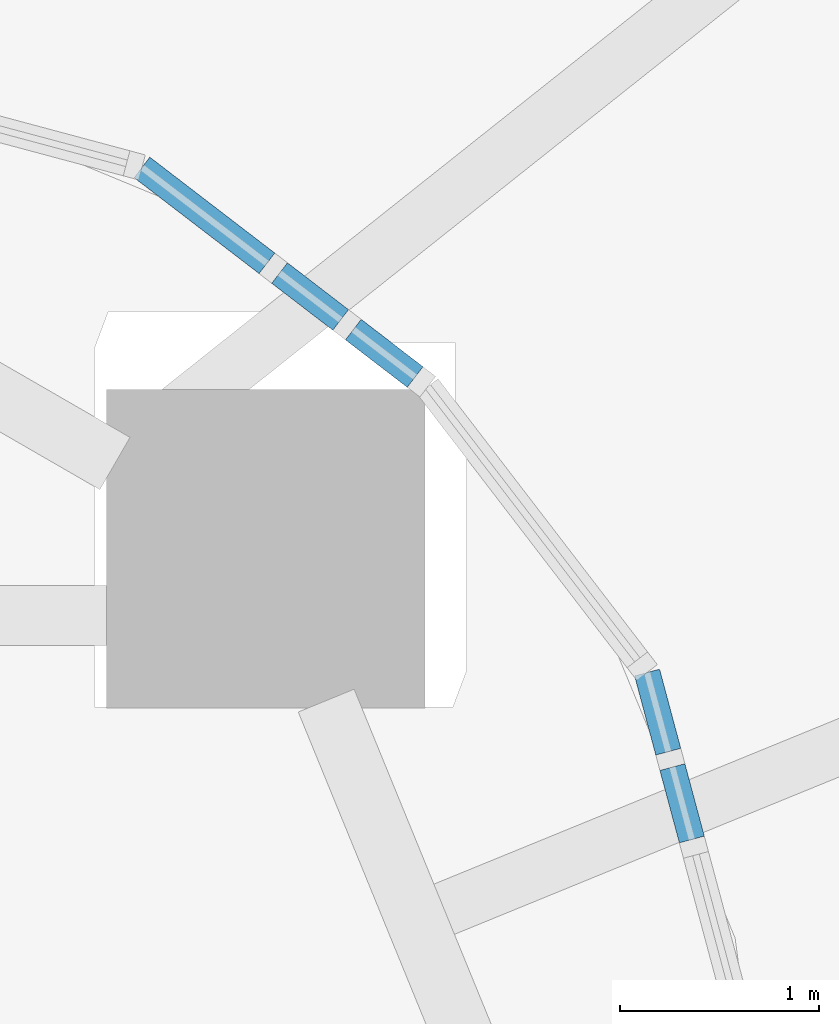
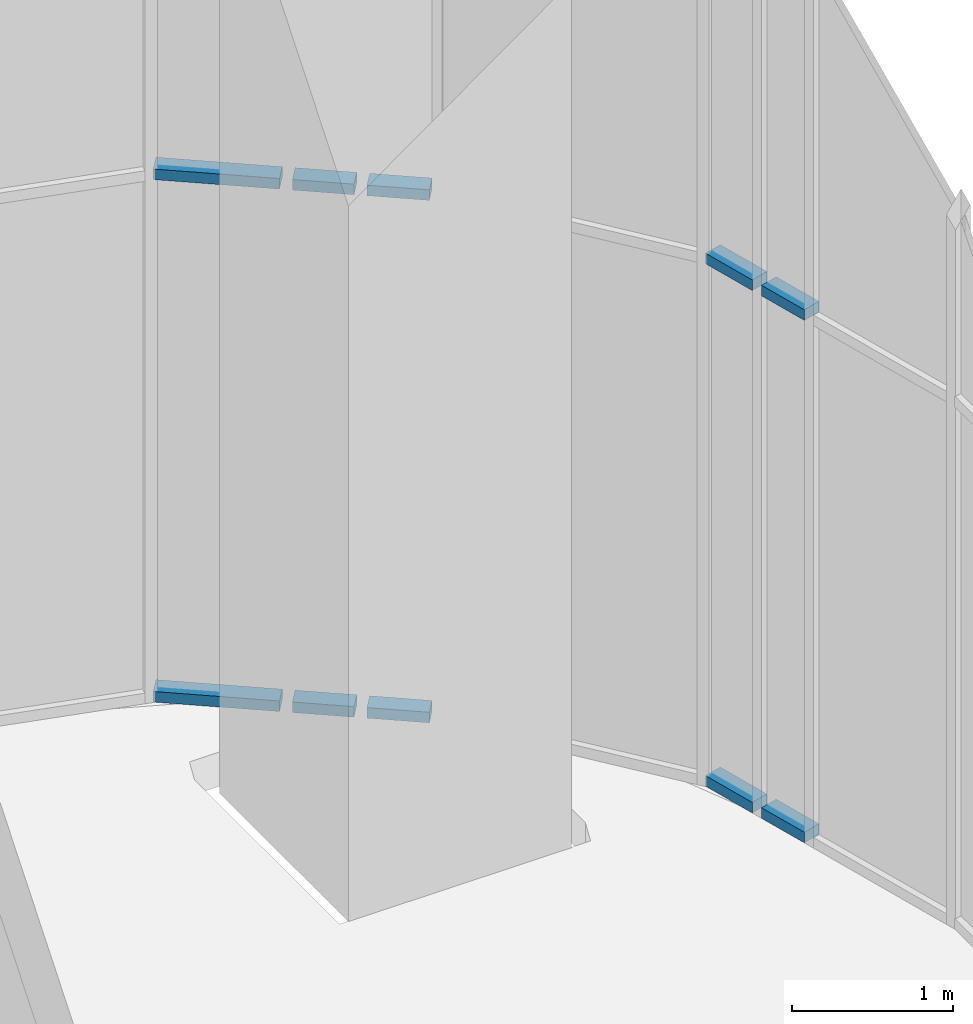
# One storey, part 16 of 34: 10 members, 5 elements without a shape of their own.
"""IFC4 building model written with IfcOpenShell, lengths in metres."""

from ifc_helpers import new_model, si_unit, direction, frame, origin, origin_2d, place, context, subcontext, project, spatial, rectangle, extrude, material, layer, layer_set, material_profile, profile_set, type_object, element, aggregate, save


model = new_model("IFC4")

# Units and contexts
model_context = context("Model", 3, precision=1e-05, world=origin(), true_north=direction((0.0, 1.0)))
body_context = subcontext(model_context, "Body", "Model", "MODEL_VIEW")
ifc_project = project(units=[si_unit("LENGTHUNIT", "METRE"), si_unit("AREAUNIT", "SQUARE_METRE"), si_unit("VOLUMEUNIT", "CUBIC_METRE"), si_unit("PLANEANGLEUNIT", "RADIAN"), si_unit("MASSUNIT", "GRAM", prefix="KILO")], contexts=[model_context])

# Site, building, storey
site_placement = place(None, origin())
site = spatial("IfcSite", under=ifc_project, at=site_placement, CompositionType="ELEMENT")
building_placement = place(site_placement, origin())
building = spatial("IfcBuilding", under=site, at=building_placement, Name="Marenta Gate Hotel Tower", CompositionType="ELEMENT")
storey_placement = place(building_placement, frame((0.0, 0.0, 97.699951171875)))
storey = spatial("IfcBuildingStorey", under=building, at=storey_placement, Name="L21", CompositionType="ELEMENT", Elevation=97.699951171875)

# Curtain wall, members
ifc_material_1 = material(Name="Tinted insulated glass in bronze anodised frame", Category="glass")
ifc_layer = layer(ifc_material_1, 0.1298828125)
ifc_layer_set = layer_set([ifc_layer], Name="Tinted insulated glass in bronze anodised frame")
curtain_wall_type = type_object("IfcCurtainWallType", Name="Sky lobby glazing CW2", PredefinedType="NOTDEFINED", material=ifc_layer_set)
curtain_wall_1_placement = place(storey_placement, origin())
curtain_wall_1 = element("IfcCurtainWall", 1, at=curtain_wall_1_placement, inside=storey, type_object=curtain_wall_type, Name="CW2 run G37", PredefinedType="NOTDEFINED")
ifc_material_2 = material(Name="Bronze anodised aluminium", Category="aluminium")
ifc_material_profile = material_profile(ifc_material_2, rectangle(XDim=0.1298828125, YDim=0.080078125, at=origin_2d()), Name="Transom CW2 80x130 bronze anodised aluminium")
ifc_profile_set = profile_set([ifc_material_profile], Name="Bronze anodised aluminium")
member_type = type_object("IfcMemberType", Name="Transom CW2 80x130 bronze anodised aluminium", PredefinedType="USERDEFINED", material=ifc_profile_set)
member_1_placement = place(storey_placement, frame((26.9755859375, 24.07470703125, 0.0400390625), z_axis=(-0.259276042502, 0.965803258321, 0.0), x_axis=(-0.965803258321, -0.259276042502, 0.0)))
member_1 = element("IfcMember", 2, at=member_1_placement, type_object=member_type, Name="CW2 transom 1.1", ObjectType="TRANSOM", PredefinedType="USERDEFINED", context=body_context, shape_type="SweptSolid", body=[
    extrude(rectangle(XDim=0.1298828125, YDim=0.080078125, at=origin_2d()), origin(), (0.0, 0.0, 1.0), 0.376708984375),
])
member_2_placement = place(storey_placement, frame((26.9755859375, 24.07470703125, 4.0), z_axis=(-0.259276042502, 0.965803258321, 0.0), x_axis=(-0.965803258321, -0.259276042502, 0.0)))
member_2 = element("IfcMember", 3, at=member_2_placement, type_object=member_type, Name="CW2 transom 1.2", ObjectType="TRANSOM", PredefinedType="USERDEFINED", context=body_context, shape_type="SweptSolid", body=[
    extrude(rectangle(XDim=0.1298828125, YDim=0.080078125, at=origin_2d()), origin(), (0.0, 0.0, 1.0), 0.376708984375),
])
aggregate(curtain_wall_1, [member_1, member_2])

curtain_wall_2_placement = place(storey_placement, origin())
curtain_wall_2 = element("IfcCurtainWall", 4, at=curtain_wall_2_placement, inside=storey, type_object=curtain_wall_type, Name="CW2 run G38", PredefinedType="NOTDEFINED")
member_3_placement = place(storey_placement, frame((26.857177734375, 24.515869140625, 0.0400390625), z_axis=(-0.25854835262, 0.965998317471, 0.0), x_axis=(-0.965998317471, -0.25854835262, 0.0)))
member_3 = element("IfcMember", 5, at=member_3_placement, type_object=member_type, Name="CW2 transom 1.1", ObjectType="TRANSOM", PredefinedType="USERDEFINED", context=body_context, shape_type="SweptSolid", body=[
    extrude(rectangle(XDim=0.1298828125, YDim=0.080078125, at=origin_2d()), origin(), (0.0, 0.0, 1.0), 0.41162109375),
])
member_4_placement = place(storey_placement, frame((26.857177734375, 24.515869140625, 4.0), z_axis=(-0.25854835262, 0.965998317471, 0.0), x_axis=(-0.965998317471, -0.25854835262, 0.0)))
member_4 = element("IfcMember", 6, at=member_4_placement, type_object=member_type, Name="CW2 transom 1.2", ObjectType="TRANSOM", PredefinedType="USERDEFINED", context=body_context, shape_type="SweptSolid", body=[
    extrude(rectangle(XDim=0.1298828125, YDim=0.080078125, at=origin_2d()), origin(), (0.0, 0.0, 1.0), 0.41162109375),
])
aggregate(curtain_wall_2, [member_3, member_4])

curtain_wall_3_placement = place(storey_placement, origin())
curtain_wall_3 = element("IfcCurtainWall", 7, at=curtain_wall_3_placement, inside=storey, type_object=curtain_wall_type, Name="CW2 run G40", PredefinedType="NOTDEFINED")
member_5_placement = place(storey_placement, frame((25.585693359375, 26.397705078125, 0.0400390625), z_axis=(-0.793365367908, 0.608745753992, 0.0), x_axis=(-0.608745753992, -0.793365367908, 0.0)))
member_5 = element("IfcMember", 8, at=member_5_placement, type_object=member_type, Name="CW2 transom 1.1", ObjectType="TRANSOM", PredefinedType="USERDEFINED", context=body_context, shape_type="SweptSolid", body=[
    extrude(rectangle(XDim=0.1298828125, YDim=0.080078125, at=origin_2d()), origin(), (0.0, 0.0, 1.0), 0.391357421875),
])
member_6_placement = place(storey_placement, frame((25.585693359375, 26.397705078125, 4.0), z_axis=(-0.793365367908, 0.608745753992, 0.0), x_axis=(-0.608745753992, -0.793365367908, 0.0)))
member_6 = element("IfcMember", 9, at=member_6_placement, type_object=member_type, Name="CW2 transom 1.2", ObjectType="TRANSOM", PredefinedType="USERDEFINED", context=body_context, shape_type="SweptSolid", body=[
    extrude(rectangle(XDim=0.1298828125, YDim=0.080078125, at=origin_2d()), origin(), (0.0, 0.0, 1.0), 0.391357421875),
])
aggregate(curtain_wall_3, [member_5, member_6])

curtain_wall_4_placement = place(storey_placement, origin())
curtain_wall_4 = element("IfcCurtainWall", 10, at=curtain_wall_4_placement, inside=storey, type_object=curtain_wall_type, Name="CW2 run G41", PredefinedType="NOTDEFINED")
member_7_placement = place(storey_placement, frame((25.211669921875, 26.6845703125, 0.0400390625), z_axis=(-0.793210085521, 0.608948076792, 0.0), x_axis=(-0.608948076792, -0.793210085521, 0.0)))
member_7 = element("IfcMember", 11, at=member_7_placement, type_object=member_type, Name="CW2 transom 1.1", ObjectType="TRANSOM", PredefinedType="USERDEFINED", context=body_context, shape_type="SweptSolid", body=[
    extrude(rectangle(XDim=0.1298828125, YDim=0.080078125, at=origin_2d()), origin(), (0.0, 0.0, 1.0), 0.386962890625),
])
member_8_placement = place(storey_placement, frame((25.211669921875, 26.6845703125, 4.0), z_axis=(-0.793210085521, 0.608948076792, 0.0), x_axis=(-0.608948076792, -0.793210085521, 0.0)))
member_8 = element("IfcMember", 12, at=member_8_placement, type_object=member_type, Name="CW2 transom 1.2", ObjectType="TRANSOM", PredefinedType="USERDEFINED", context=body_context, shape_type="SweptSolid", body=[
    extrude(rectangle(XDim=0.1298828125, YDim=0.080078125, at=origin_2d()), origin(), (0.0, 0.0, 1.0), 0.386962890625),
])
aggregate(curtain_wall_4, [member_7, member_8])

curtain_wall_5_placement = place(storey_placement, origin())
curtain_wall_5 = element("IfcCurtainWall", 13, at=curtain_wall_5_placement, inside=storey, type_object=curtain_wall_type, Name="CW2 run G42", PredefinedType="NOTDEFINED")
member_9_placement = place(storey_placement, frame((24.84130859375, 26.968994140625, 0.0400390625), z_axis=(-0.7934375137, 0.608651716381, 0.0), x_axis=(-0.608651716381, -0.7934375137, 0.0)))
member_9 = element("IfcMember", 14, at=member_9_placement, type_object=member_type, Name="CW2 transom 1.1", ObjectType="TRANSOM", PredefinedType="USERDEFINED", context=body_context, shape_type="SweptSolid", body=[
    extrude(rectangle(XDim=0.1298828125, YDim=0.080078125, at=origin_2d()), origin(), (0.0, 0.0, 1.0), 0.79150390625),
])
member_10_placement = place(storey_placement, frame((24.84130859375, 26.968994140625, 4.0), z_axis=(-0.7934375137, 0.608651716381, 0.0), x_axis=(-0.608651716381, -0.7934375137, 0.0)))
member_10 = element("IfcMember", 15, at=member_10_placement, type_object=member_type, Name="CW2 transom 1.2", ObjectType="TRANSOM", PredefinedType="USERDEFINED", context=body_context, shape_type="SweptSolid", body=[
    extrude(rectangle(XDim=0.1298828125, YDim=0.080078125, at=origin_2d()), origin(), (0.0, 0.0, 1.0), 0.79150390625),
])
aggregate(curtain_wall_5, [member_9, member_10])

save(model, "model.ifc")
